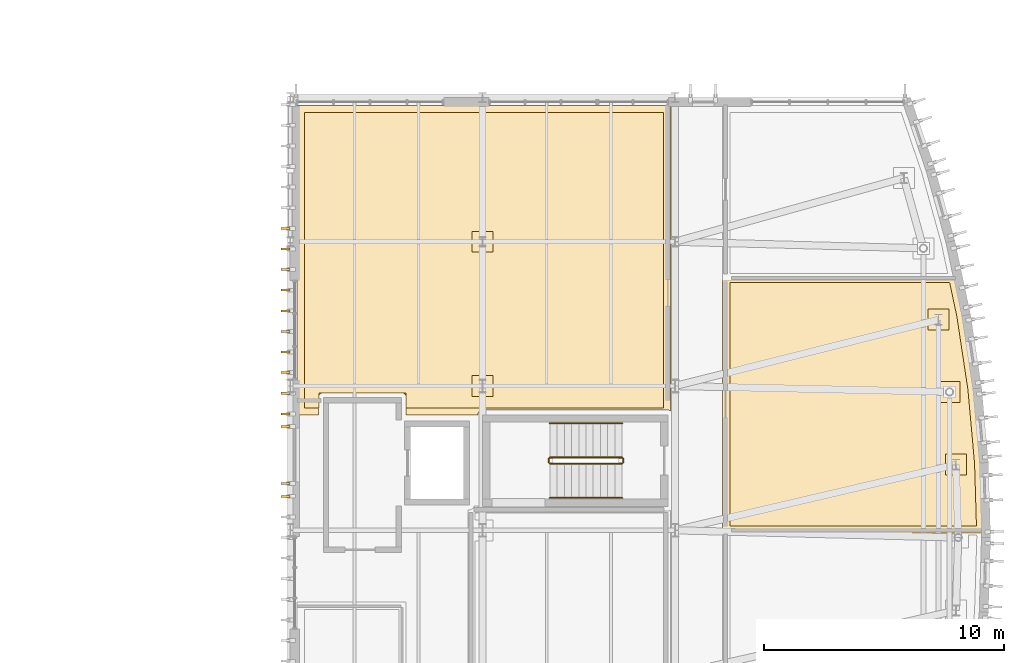
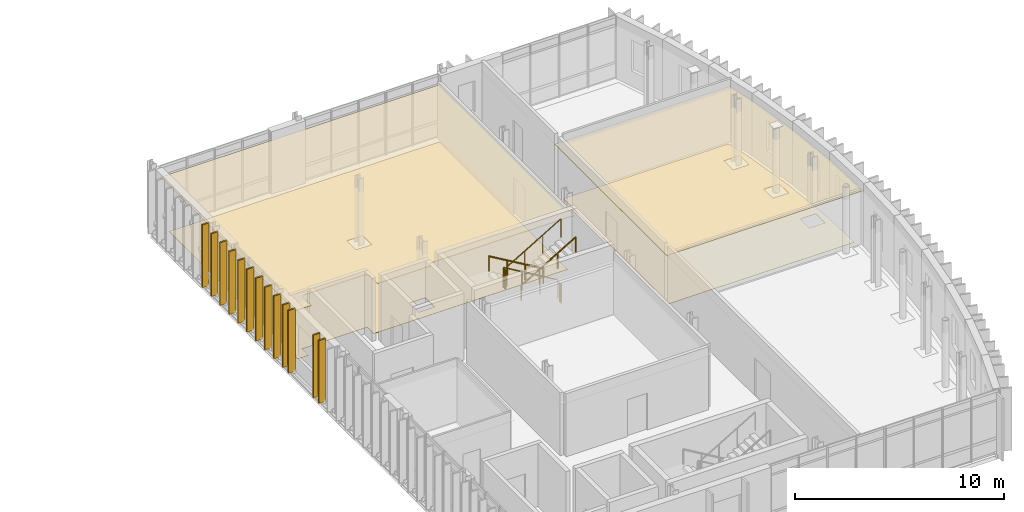
# One storey, part 42 of 43: 17 coverings, 6 railings.
"""IFC4 building model written with IfcOpenShell, lengths in metres."""

from ifc_helpers import new_model, si_unit, direction, frame, origin, origin_2d, place, context, subcontext, project, spatial, polyline, rectangle, circle, outline, extrude, material, layer, layer_set, type_object, element, save


model = new_model("IFC4")

# Units and contexts
model_context = context("Model", 3, precision=1e-05, world=origin(), true_north=direction((0.0, 1.0)))
body_context = subcontext(model_context, "Body", "Model", "MODEL_VIEW")
ifc_project = project(units=[si_unit("LENGTHUNIT", "METRE"), si_unit("AREAUNIT", "SQUARE_METRE"), si_unit("VOLUMEUNIT", "CUBIC_METRE"), si_unit("PLANEANGLEUNIT", "RADIAN"), si_unit("MASSUNIT", "GRAM", prefix="KILO")], contexts=[model_context])

# Site, building, storey
site_placement = place(None, origin())
site = spatial("IfcSite", under=ifc_project, at=site_placement, CompositionType="ELEMENT")
building_placement = place(site_placement, origin())
building = spatial("IfcBuilding", under=site, at=building_placement, Name="Cymarion Research Institute", CompositionType="ELEMENT")
storey_placement = place(building_placement, frame((0.0, 0.0, 22.800048828125)))
storey = spatial("IfcBuildingStorey", under=building, at=storey_placement, Name="L05", CompositionType="ELEMENT", Elevation=22.800048828125)

# Coverings
ifc_material_1 = material(Name="Micro-perforated mineral acoustic ceiling tile", Category="gypsum")
ifc_layer_1 = layer(ifc_material_1, 0.030029296875)
ifc_layer_set_1 = layer_set([ifc_layer_1], Name="Micro-perforated mineral acoustic ceiling tile")
covering_type_1 = type_object("IfcCoveringType", Name="ACOUSTIC MICRO-PERFORATED SUSPENDED CEILING CLG-01", PredefinedType="CEILING", material=ifc_layer_set_1)
covering_1_placement = place(storey_placement, frame((0.0, 0.0, 3.08984375)))
element("IfcCovering", 1, at=covering_1_placement, inside=storey, type_object=covering_type_1, Name="L05 L05 North Drum Seminar & Biobank Laboratory acoustic ceiling", PredefinedType="CEILING", context=body_context, shape_type="SweptSolid", body=[
    extrude(outline(polyline([(154.4150390625, 41.1650390625), (154.4150390625, 28.46337890625), (154.4111328125, 28.46630859375), (154.394287109375, 28.476318359375), (154.37646484375, 28.48486328125), (154.358154296875, 28.491455078125), (154.339111328125, 28.49609375), (154.319580078125, 28.4990234375), (154.300048828125, 28.5), (146.60009765625, 28.5), (146.580322265625, 28.4990234375), (146.56103515625, 28.49609375), (146.5419921875, 28.491455078125), (146.5234375, 28.48486328125), (146.505615234375, 28.476318359375), (146.489013671875, 28.46630859375), (146.47314453125, 28.45458984375), (146.45849609375, 28.44140625), (146.4453125, 28.427001953125), (146.43359375, 28.4111328125), (146.423583984375, 28.394287109375), (146.415283203125, 28.37646484375), (146.40869140625, 28.358154296875), (146.40380859375, 28.339111328125), (146.40087890625, 28.319580078125), (146.39990234375, 28.300048828125), (146.39990234375, 28.284912109375), (143.419921875, 28.284912109375), (143.419921875, 29.02001953125), (143.4189453125, 29.03955078125), (143.416259765625, 29.05908203125), (143.411376953125, 29.078125), (143.40478515625, 29.096435546875), (143.396484375, 29.1142578125), (143.38623046875, 29.131103515625), (143.37451171875, 29.14697265625), (143.361328125, 29.161376953125), (143.346923828125, 29.174560546875), (143.3310546875, 29.186279296875), (143.314208984375, 29.1962890625), (143.29638671875, 29.204833984375), (143.278076171875, 29.21142578125), (143.259033203125, 29.21630859375), (143.239501953125, 29.218994140625), (143.219970703125, 29.219970703125), (139.97998046875, 29.219970703125), (139.96044921875, 29.218994140625), (139.94091796875, 29.21630859375), (139.921875, 29.21142578125), (139.903564453125, 29.204833984375), (139.8857421875, 29.1962890625), (139.868896484375, 29.186279296875), (139.85302734375, 29.174560546875), (139.838623046875, 29.161376953125), (139.825439453125, 29.14697265625), (139.813720703125, 29.131103515625), (139.8037109375, 29.1142578125), (139.795166015625, 29.096435546875), (139.78857421875, 29.078125), (139.78369140625, 29.05908203125), (139.781005859375, 29.03955078125), (139.780029296875, 29.02001953125), (139.780029296875, 28.284912109375), (138.885009765625, 28.284912109375), (138.885009765625, 41.1650390625), (154.4150390625, 41.1650390625)])), origin(), (0.0, 0.0, 1.0), 0.030029296875),
])
covering_2_placement = place(storey_placement, frame((0.0, 0.0, 3.08984375)))
element("IfcCovering", 2, at=covering_2_placement, inside=storey, type_object=covering_type_1, Name="L05 L05 Principal Investigator Write-Up & Modelling Suite acoustic ceiling", PredefinedType="CEILING", context=body_context, shape_type="SweptSolid", body=[
    extrude(outline(polyline([(166.26318359375, 34.114990234375), (166.617431640625, 32.45068359375), (167.080078125, 29.3857421875), (167.3583984375, 26.29833984375), (167.44580078125, 23.385009765625), (156.5849609375, 23.385009765625), (156.5849609375, 34.114990234375), (166.26318359375, 34.114990234375)])), origin(), (0.0, 0.0, 1.0), 0.030029296875),
])
ifc_material_2 = material(Name="Precast concrete C45/55 architectural white", Category="concrete")
ifc_layer_2 = layer(ifc_material_2, 0.0849609375)
ifc_layer_set_2 = layer_set([ifc_layer_2], Name="Precast concrete C45/55 architectural white")
covering_type_2 = type_object("IfcCoveringType", Name="ARCHITECTURAL WHITE PRECAST CONCRETE VERTICAL FIN FIN3 380MM", PredefinedType="CLADDING", material=ifc_layer_set_2)
for number, where, z_axis, x_axis, name in (
    (3, (138.407958984375, 36.05712890625, 0.009765625), (0.0, 0.0, 1.0), (-1.0, 0.0, 0.0), "L05 V1 white precast vertical fin FIN3 #565"),
    (4, (138.407958984375, 35.199951171875, 0.009765625), (0.0, 0.0, 1.0), (-1.0, 0.0, 0.0), "L05 V1 white precast vertical fin FIN3 #566"),
    (5, (138.407958984375, 34.343017578125, 0.009765625), (0.0, 0.0, 1.0), (-1.0, 0.0, 0.0), "L05 V1 white precast vertical fin FIN3 #567"),
    (6, (138.407958984375, 33.485595703125, 0.009765625), (0.0, 0.0, 1.0), (-1.0, 0.0, 0.0), "L05 V1 white precast vertical fin FIN3 #568"),
    (7, (138.407958984375, 32.628662109375, 0.009765625), (0.0, 0.0, 1.0), (-1.0, 0.0, 0.0), "L05 V1 white precast vertical fin FIN3 #569"),
    (8, (138.407958984375, 31.771484375, 0.009765625), (0.0, 0.0, 1.0), (-1.0, 0.0, 0.0), "L05 V1 white precast vertical fin FIN3 #570"),
    (9, (138.407958984375, 30.914306640625, 0.009765625), (0.0, 0.0, 1.0), (-1.0, 0.0, 0.0), "L05 V1 white precast vertical fin FIN3 #571"),
    (10, (138.407958984375, 30.05712890625, 0.009765625), (0.0, 0.0, 1.0), (-1.0, 0.0, 0.0), "L05 V1 white precast vertical fin FIN3 #572"),
    (11, (138.407958984375, 29.199951171875, 0.009765625), (0.0, 0.0, 1.0), (-1.0, 0.0, 0.0), "L05 V1 white precast vertical fin FIN3 #573"),
    (12, (138.407958984375, 28.343017578125, 0.009765625), (0.0, 0.0, 1.0), (-1.0, 0.0, 0.0), "L05 V1 white precast vertical fin FIN3 #574"),
    (13, (138.407958984375, 27.81005859375, 0.009765625), (0.0, 0.0, 1.0), (-1.0, 0.0, 0.0), "L05 V1 white precast vertical fin FIN3 #575"),
    (14, (138.407958984375, 25.43994140625, 0.009765625), (0.0, 0.0, 1.0), (-1.0, 0.0, 0.0), "L05 V1 white precast vertical fin FIN3 #576"),
    (15, (138.407958984375, 24.914306640625, 0.009765625), (0.0, 0.0, 1.0), (-1.0, 0.0, 0.0), "L05 V1 white precast vertical fin FIN3 #577"),
):
    element("IfcCovering", number, at=place(storey_placement, frame(where, z_axis=z_axis, x_axis=x_axis)), inside=storey, type_object=covering_type_2, Name=name, PredefinedType="CLADDING", context=body_context, shape_type="SweptSolid", body=[
        extrude(rectangle(XDim=0.3798828125, YDim=0.0849609375, at=origin_2d()), origin(), (0.0, 0.0, 1.0), 3.659912109375),
    ])

# Railings
ifc_material_3 = material(Name="Steel S355", Category="steel")
railing_type_1 = type_object("IfcRailingType", Name="PAINTED STEEL STAIR GUARDRAIL GR1 1100MM", PredefinedType="GUARDRAIL", material=ifc_material_3)
railing_1_placement = place(storey_placement, frame((152.39990234375, 26.530029296875, 0.17724609375)))
element("IfcRailing", 16, at=railing_1_placement, inside=storey, type_object=railing_type_1, Name="L05 ST2 stair guard 1", PredefinedType="GUARDRAIL", context=body_context, shape_type="SweptSolid", body=[
    extrude(circle(Radius=0.02392578125, at=origin_2d()), frame((0.0, 0.0, 1.076171875), z_axis=(-0.86092931783, 0.0, 0.508724591208), x_axis=(0.0, -1.0, 0.0)), (0.0, 0.0, 1.0), 3.484619140625),
    extrude(circle(Radius=0.02099609375, at=origin_2d()), origin(), (0.0, 0.0, 1.0), 1.052001953125),
    extrude(circle(Radius=0.02099609375, at=origin_2d()), frame((-1.0, 0.0, 0.5908203125)), (0.0, 0.0, 1.0), 1.052001953125),
    extrude(circle(Radius=0.02099609375, at=origin_2d()), frame((-2.0, 0.0, 1.181884765625)), (0.0, 0.0, 1.0), 1.052001953125),
    extrude(circle(Radius=0.02099609375, at=origin_2d()), frame((-3.0, 0.0, 1.772705078125)), (0.0, 0.0, 1.0), 1.052001953125),
])
railing_2_placement = place(storey_placement, frame((149.35009765625, 26.47998046875, 1.949951171875)))
element("IfcRailing", 17, at=railing_2_placement, inside=storey, type_object=railing_type_1, Name="L05 ST2 stair guard 2", PredefinedType="GUARDRAIL", context=body_context, shape_type="SweptSolid", body=[
    extrude(circle(Radius=0.02392578125, at=origin_2d()), frame((0.0, 0.0, 1.076171875), z_axis=(0.0, -1.0, 0.0), x_axis=(1.0, 0.0, 0.0)), (0.0, 0.0, 1.0), 0.159912109375),
    extrude(circle(Radius=0.02099609375, at=origin_2d()), origin(), (0.0, 0.0, 1.0), 1.052001953125),
    extrude(circle(Radius=0.02099609375, at=origin_2d()), frame((0.0, -0.159912109375, 0.0)), (0.0, 0.0, 1.0), 1.052001953125),
])
railing_3_placement = place(storey_placement, frame((149.39990234375, 26.27001953125, 2.127197265625)))
element("IfcRailing", 18, at=railing_3_placement, inside=storey, type_object=railing_type_1, Name="L05 ST2 stair guard 3", PredefinedType="GUARDRAIL", context=body_context, shape_type="SweptSolid", body=[
    extrude(circle(Radius=0.02392578125, at=origin_2d()), frame((0.0, 0.0, 1.076171875), z_axis=(0.86092931783, 0.0, 0.508724591208), x_axis=(0.0, 1.0, 0.0)), (0.0, 0.0, 1.0), 3.484619140625),
    extrude(circle(Radius=0.02099609375, at=origin_2d()), origin(), (0.0, 0.0, 1.0), 1.052001953125),
    extrude(circle(Radius=0.02099609375, at=origin_2d()), frame((1.0, 0.0, 0.5908203125)), (0.0, 0.0, 1.0), 1.052001953125),
    extrude(circle(Radius=0.02099609375, at=origin_2d()), frame((2.0, 0.0, 1.181884765625)), (0.0, 0.0, 1.0), 1.052001953125),
    extrude(circle(Radius=0.02099609375, at=origin_2d()), frame((3.0, 0.0, 1.772705078125)), (0.0, 0.0, 1.0), 1.052001953125),
])
railing_4_placement = place(storey_placement, frame((152.449951171875, 26.47998046875, 0.0)))
element("IfcRailing", 19, at=railing_4_placement, inside=storey, type_object=railing_type_1, Name="L05 ST2 stair guard 4", PredefinedType="GUARDRAIL", context=body_context, shape_type="SweptSolid", body=[
    extrude(circle(Radius=0.02392578125, at=origin_2d()), frame((0.0, 0.0, 1.076171875), z_axis=(0.0, -1.0, 0.0), x_axis=(1.0, 0.0, 0.0)), (0.0, 0.0, 1.0), 0.159912109375),
    extrude(circle(Radius=0.02099609375, at=origin_2d()), origin(), (0.0, 0.0, 1.0), 1.052001953125),
    extrude(circle(Radius=0.02099609375, at=origin_2d()), frame((0.0, -0.159912109375, 0.0)), (0.0, 0.0, 1.0), 1.052001953125),
])

# Coverings
ifc_material_4 = material(Name="Seamless dissipative epoxy resin flooring", Category="resin")
ifc_layer_3 = layer(ifc_material_4, 0.02001953125)
ifc_layer_set_3 = layer_set([ifc_layer_3], Name="Seamless dissipative epoxy resin flooring")
covering_type_3 = type_object("IfcCoveringType", Name="SEAMLESS ESD EPOXY LABORATORY FLOORING FLR-01", PredefinedType="FLOORING", material=ifc_layer_set_3)
covering_3_placement = place(storey_placement, origin())
element("IfcCovering", 20, at=covering_3_placement, inside=storey, type_object=covering_type_3, Name="L05 L05 North Drum Seminar & Biobank Laboratory ESD epoxy flooring", PredefinedType="FLOORING", context=body_context, shape_type="SweptSolid", body=[
    extrude(outline(polyline([(139.18505859375, 40.864990234375), (154.114990234375, 40.864990234375), (154.114990234375, 28.5849609375), (143.405029296875, 28.5849609375), (143.405029296875, 29.205078125), (139.794921875, 29.205078125), (139.794921875, 28.5849609375), (139.18505859375, 28.5849609375), (139.18505859375, 40.864990234375)]), holes=[polyline([(146.1650390625, 29.93505859375), (146.1650390625, 29.06494140625), (147.034912109375, 29.06494140625), (147.034912109375, 29.93505859375), (146.1650390625, 29.93505859375)]), polyline([(146.1650390625, 35.93505859375), (146.1650390625, 35.06494140625), (147.034912109375, 35.06494140625), (147.034912109375, 35.93505859375), (146.1650390625, 35.93505859375)])]), origin(), (0.0, 0.0, 1.0), 0.02001953125),
])
covering_4_placement = place(storey_placement, origin())
element("IfcCovering", 21, at=covering_4_placement, inside=storey, type_object=covering_type_3, Name="L05 L05 Principal Investigator Write-Up & Modelling Suite ESD epoxy flooring", PredefinedType="FLOORING", context=body_context, shape_type="SweptSolid", body=[
    extrude(outline(polyline([(156.885009765625, 33.81494140625), (166.020263671875, 33.81494140625), (166.322021484375, 32.39697265625), (166.7822265625, 29.349853515625), (167.058837890625, 26.280517578125), (167.13671875, 23.68505859375), (156.885009765625, 23.68505859375), (156.885009765625, 33.81494140625)]), holes=[polyline([(165.8505859375, 26.6689453125), (165.8505859375, 25.799072265625), (166.720458984375, 25.799072265625), (166.720458984375, 26.6689453125), (165.8505859375, 26.6689453125)]), polyline([(165.577880859375, 29.692138671875), (165.577880859375, 28.822265625), (166.447998046875, 28.822265625), (166.447998046875, 29.692138671875), (165.577880859375, 29.692138671875)]), polyline([(165.125, 31.823486328125), (165.994873046875, 31.823486328125), (165.994873046875, 32.693603515625), (165.125, 32.693603515625), (165.125, 31.823486328125)])]), origin(), (0.0, 0.0, 1.0), 0.02001953125),
])

# Railings
railing_type_2 = type_object("IfcRailingType", Name="STAINLESS STEEL STAIR HANDRAIL HR1 900MM", PredefinedType="HANDRAIL", material=ifc_material_3)
railing_5_placement = place(storey_placement, frame((152.39990234375, 27.949951171875, 0.17724609375)))
element("IfcRailing", 22, at=railing_5_placement, inside=storey, type_object=railing_type_2, Name="L05 ST2 stair handrail 1", PredefinedType="HANDRAIL", context=body_context, shape_type="SweptSolid", body=[
    extrude(circle(Radius=0.02392578125, at=origin_2d()), frame((0.0, 0.0, 0.8759765625), z_axis=(-0.86092931783, 0.0, 0.508724591208), x_axis=(0.0, -1.0, 0.0)), (0.0, 0.0, 1.0), 3.484619140625),
    extrude(circle(Radius=0.02099609375, at=origin_2d()), origin(), (0.0, 0.0, 1.0), 0.851806640625),
    extrude(circle(Radius=0.02099609375, at=origin_2d()), frame((-1.0, 0.0, 0.5908203125)), (0.0, 0.0, 1.0), 0.851806640625),
    extrude(circle(Radius=0.02099609375, at=origin_2d()), frame((-2.0, 0.0, 1.181884765625)), (0.0, 0.0, 1.0), 0.851806640625),
    extrude(circle(Radius=0.02099609375, at=origin_2d()), frame((-3.0, 0.0, 1.772705078125)), (0.0, 0.0, 1.0), 0.851806640625),
])
railing_6_placement = place(storey_placement, frame((149.39990234375, 24.85009765625, 2.127197265625)))
element("IfcRailing", 23, at=railing_6_placement, inside=storey, type_object=railing_type_2, Name="L05 ST2 stair handrail 2", PredefinedType="HANDRAIL", context=body_context, shape_type="SweptSolid", body=[
    extrude(circle(Radius=0.02392578125, at=origin_2d()), frame((0.0, 0.0, 0.8759765625), z_axis=(0.86092931783, 0.0, 0.508724591208), x_axis=(0.0, 1.0, 0.0)), (0.0, 0.0, 1.0), 3.484619140625),
    extrude(circle(Radius=0.02099609375, at=origin_2d()), origin(), (0.0, 0.0, 1.0), 0.851806640625),
    extrude(circle(Radius=0.02099609375, at=origin_2d()), frame((1.0, 0.0, 0.5908203125)), (0.0, 0.0, 1.0), 0.851806640625),
    extrude(circle(Radius=0.02099609375, at=origin_2d()), frame((2.0, 0.0, 1.181884765625)), (0.0, 0.0, 1.0), 0.851806640625),
    extrude(circle(Radius=0.02099609375, at=origin_2d()), frame((3.0, 0.0, 1.772705078125)), (0.0, 0.0, 1.0), 0.851806640625),
])

save(model, "model.ifc")
